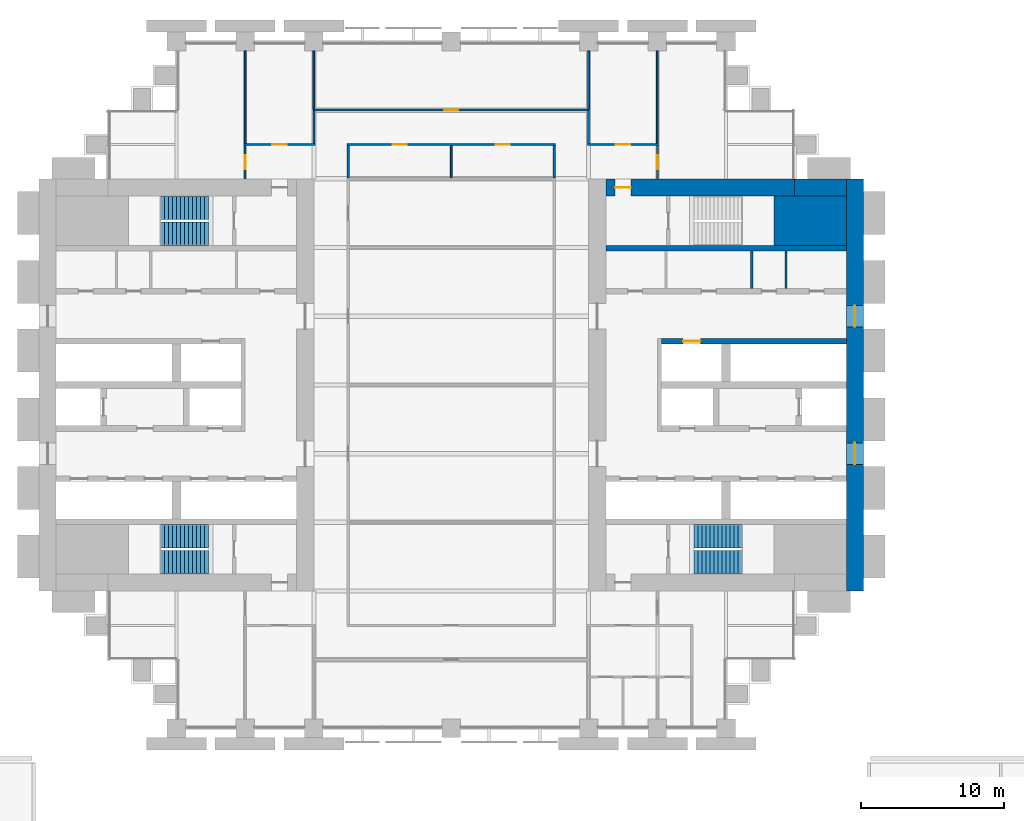
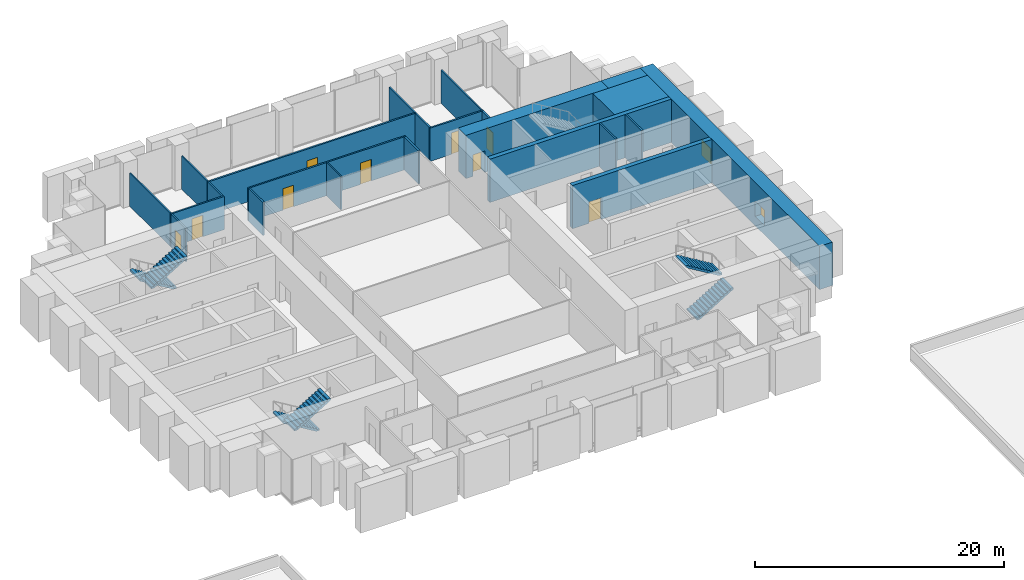
# One storey, part 12 of 14: 23 walls, 9 doors, 6 stair flights, 2 windows, 11 openings, 3 elements without a shape of their own.
"""IFC4 building model written with IfcOpenShell, lengths in metres."""

from ifc_helpers import new_model, si_unit, direction, frame, frame_2d, origin, place, context, subcontext, project, spatial, polyline, rectangle, outline, extrude, material, layer, layer_set, type_object, element, fill, aggregate, save


model = new_model("IFC4")

# Units and contexts
model_context = context("Model", 3, precision=1e-05, world=origin(), true_north=direction((0.0, 1.0)))
body_context = subcontext(model_context, "Body", "Model", "MODEL_VIEW")
ifc_project = project(units=[si_unit("LENGTHUNIT", "METRE"), si_unit("AREAUNIT", "SQUARE_METRE"), si_unit("VOLUMEUNIT", "CUBIC_METRE"), si_unit("PLANEANGLEUNIT", "RADIAN"), si_unit("MASSUNIT", "GRAM", prefix="KILO")], contexts=[model_context])

# Site, building, storey
site_placement = place(None, origin())
site = spatial("IfcSite", under=ifc_project, at=site_placement, CompositionType="ELEMENT")
building_placement = place(site_placement, origin())
building = spatial("IfcBuilding", under=site, at=building_placement, Name="Baori Bourse Tower", CompositionType="ELEMENT")
storey_placement = place(building_placement, frame((0.0, 0.0, 30.199951171875)))
storey = spatial("IfcBuildingStorey", under=building, at=storey_placement, Name="L05", CompositionType="ELEMENT", Elevation=30.199951171875)

# Walls
ifc_material_1 = material(Name="Concrete f'c 70 MPa", Category="concrete")
wall_type_1 = type_object("IfcWallType", Name="Core corner block f'c 70", PredefinedType="SHEAR", material=ifc_material_1)
wall_1_placement = place(storey_placement, frame((51.35009765625, 35.47509765625, 0.0), z_axis=(0.0, 0.0, 1.0), x_axis=(1.0, 0.0, 0.0)))
element("IfcWall", 1, at=wall_1_placement, inside=storey, type_object=wall_type_1, Name="Core wall E22", PredefinedType="SHEAR", context=body_context, shape_type="SweptSolid", body=[
    extrude(rectangle(XDim=5.0498046875, YDim=3.449951171875, at=frame_2d((2.52490234375, 0.0))), origin(), (0.0, 0.0, 1.0), 4.239990234375),
])
ifc_material_2 = material(Name="Blockwork partition", Category="masonry")
ifc_layer_1 = layer(ifc_material_2, 0.14990234375)
ifc_layer_set_1 = layer_set([ifc_layer_1], Name="Core partition 150")
wall_type_2 = type_object("IfcWallType", Name="Core partition 150", PredefinedType="PARTITIONING", material=ifc_layer_set_1)
for number, where, z_axis, x_axis, name in (
    (2, (52.199951171875, 30.75, 0.0), (0.0, 0.0, 1.0), (0.0, 1.0, 0.0), "Partition wall E18"),
    (3, (49.800048828125, 30.75, 0.0), (0.0, 0.0, 1.0), (0.0, 1.0, 0.0), "Partition wall E19"),
):
    element("IfcWall", number, at=place(storey_placement, frame(where, z_axis=z_axis, x_axis=x_axis)), inside=storey, type_object=wall_type_2, Name=name, PredefinedType="PARTITIONING", context=body_context, shape_type="SweptSolid", body=[
        extrude(rectangle(XDim=2.60009765625, YDim=0.14990234375, at=frame_2d((1.300048828125, 0.0))), origin(), (0.0, 0.0, 1.0), 4.239990234375),
    ])

# Wall, openings, windows
ifc_material_3 = material(Name="Concrete f'c 70 MPa", Category="concrete")
ifc_layer_2 = layer(ifc_material_3, 1.199951171875)
ifc_layer_set_2 = layer_set([ifc_layer_2], Name="Core wall 1200 f'c 70")
wall_type_3 = type_object("IfcWallType", Name="Core wall 1200 f'c 70", PredefinedType="SHEAR", material=ifc_layer_set_2)
wall_2_placement = place(storey_placement, frame((57.0, 38.39990234375, 0.0), z_axis=(0.0, 0.0, 1.0), x_axis=(0.0, -1.0, 0.0)))
wall_2 = element("IfcWall", 4, at=wall_2_placement, inside=storey, type_object=wall_type_3, Name="Core wall E01", PredefinedType="SHEAR", context=body_context, shape_type="SweptSolid", body=[
    extrude(rectangle(XDim=28.7998046875, YDim=1.199951171875, at=frame_2d((14.39990234375, 0.0))), origin(), (0.0, 0.0, 1.0), 4.239990234375),
])
opening_1_placement = place(wall_2_placement, frame((18.449951171875, 0.0, 0.89990234375)))
opening_1 = element("IfcOpeningElement", 5, at=opening_1_placement, cuts=wall_2, Name="Opening L05-KW201", PredefinedType="OPENING", context=body_context, shape_type="SweptSolid", body=[
    extrude(rectangle(XDim=1.5, YDim=1.5, at=frame_2d((0.75, 0.75))), frame((0.0, 0.60986328125, 0.0), z_axis=(0.0, -1.0, 0.0), x_axis=(1.0, 0.0, 0.0)), (0.0, 0.0, 1.0), 1.219970703125),
])
opening_2_placement = place(wall_2_placement, frame((8.85009765625, 0.0, 0.89990234375)))
opening_2 = element("IfcOpeningElement", 6, at=opening_2_placement, cuts=wall_2, Name="Opening L05-KW202", PredefinedType="OPENING", context=body_context, shape_type="SweptSolid", body=[
    extrude(rectangle(XDim=1.5, YDim=1.5, at=frame_2d((0.75, 0.75))), frame((0.0, 0.60986328125, 0.0), z_axis=(0.0, -1.0, 0.0), x_axis=(1.0, 0.0, 0.0)), (0.0, 0.0, 1.0), 1.219970703125),
])
ifc_material_4 = material(Name="Pale anodised aluminium", Category="aluminium")
window_type = type_object("IfcWindowType", Name="Lobby window 1500 x 1500", PartitioningType="SINGLE_PANEL", PredefinedType="WINDOW", material=ifc_material_4)
window_1_placement = place(opening_1_placement, origin())
window_1 = element("IfcWindow", 7, at=window_1_placement, inside=storey, type_object=window_type, Name="Outer wall window E L05 1", OverallHeight=1.5, OverallWidth=1.5, PartitioningType="SINGLE_PANEL", PredefinedType="WINDOW", context=body_context, shape_type="SweptSolid", body=[
    extrude(rectangle(XDim=1.5, YDim=1.5, at=frame_2d((0.75, 0.75))), frame((0.0, 0.030029296875, 0.0), z_axis=(0.0, -1.0, 0.0), x_axis=(1.0, 0.0, 0.0)), (0.0, 0.0, 1.0), 0.06005859375),
])
fill(opening_1, window_1)
window_2_placement = place(opening_2_placement, origin())
window_2 = element("IfcWindow", 8, at=window_2_placement, inside=storey, type_object=window_type, Name="Outer wall window E L05 2", OverallHeight=1.5, OverallWidth=1.5, PartitioningType="SINGLE_PANEL", PredefinedType="WINDOW", context=body_context, shape_type="SweptSolid", body=[
    extrude(rectangle(XDim=1.5, YDim=1.5, at=frame_2d((0.75, 0.75))), frame((0.0, 0.030029296875, 0.0), z_axis=(0.0, -1.0, 0.0), x_axis=(1.0, 0.0, 0.0)), (0.0, 0.0, 1.0), 0.06005859375),
])
fill(opening_2, window_2)

# Wall
wall_3_placement = place(storey_placement, frame((52.800048828125, 37.800048828125, 0.0), z_axis=(0.0, 0.0, 1.0), x_axis=(1.0, 0.0, 0.0)))
element("IfcWall", 9, at=wall_3_placement, inside=storey, type_object=wall_type_3, Name="Core wall E24", PredefinedType="SHEAR", context=body_context, shape_type="SweptSolid", body=[
    extrude(rectangle(XDim=3.599853515625, YDim=1.199951171875, at=frame_2d((1.7998046875, 0.0))), origin(), (0.0, 0.0, 1.0), 4.239990234375),
])

# Wall, opening, door
wall_4_placement = place(storey_placement, frame((39.60009765625, 37.800048828125, 0.0), z_axis=(0.0, 0.0, 1.0), x_axis=(1.0, 0.0, 0.0)))
wall_4 = element("IfcWall", 10, at=wall_4_placement, inside=storey, type_object=wall_type_3, Name="Core wall E25", PredefinedType="SHEAR", context=body_context, shape_type="SweptSolid", body=[
    extrude(rectangle(XDim=13.199951171875, YDim=1.199951171875, at=frame_2d((6.60009765625, 0.0))), origin(), (0.0, 0.0, 1.0), 4.239990234375),
])
opening_3_placement = place(wall_4_placement, frame((0.64990234375, 0.0, 0.0)))
opening_3 = element("IfcOpeningElement", 11, at=opening_3_placement, cuts=wall_4, Name="Opening L05-D204", PredefinedType="OPENING", context=body_context, shape_type="SweptSolid", body=[
    extrude(rectangle(XDim=1.10009765625, YDim=2.10009765625, at=frame_2d((0.550048828125, 1.050048828125))), frame((0.0, 0.60986328125, 0.0), z_axis=(0.0, -1.0, 0.0), x_axis=(1.0, 0.0, 0.0)), (0.0, 0.0, 1.0), 1.219970703125),
])
ifc_material_5 = material(Name="Painted steel door", Category="steel")
door_type_1 = type_object("IfcDoorType", Name="Stair door 1100", OperationType="SINGLE_SWING_LEFT", PredefinedType="DOOR", material=ifc_material_5)
door_1_placement = place(opening_3_placement, origin())
door_1 = element("IfcDoor", 12, at=door_1_placement, inside=storey, type_object=door_type_1, Name="Stair vestibule door B E L05", OperationType="SINGLE_SWING_LEFT", OverallHeight=2.10009765625, OverallWidth=1.10009765625, PredefinedType="DOOR", context=body_context, shape_type="SweptSolid", body=[
    extrude(rectangle(XDim=1.10009765625, YDim=2.10009765625, at=frame_2d((0.550048828125, 1.050048828125))), frame((0.0, 0.02490234375, 0.0), z_axis=(0.0, -1.0, 0.0), x_axis=(1.0, 0.0, 0.0)), (0.0, 0.0, 1.0), 0.050048828125),
])
fill(opening_3, door_1)

ifc_material_6 = material(Name="Gypsum board partition")
ifc_layer_3 = layer(ifc_material_6, 0.14990234375)
ifc_layer_set_3 = layer_set([ifc_layer_3], Name="Corridor partition 150")
wall_type_4 = type_object("IfcWallType", Name="Corridor partition 150", PredefinedType="PARTITIONING", material=ifc_layer_set_3)
wall_5_placement = place(storey_placement, frame((14.324951171875, 40.800048828125, 0.0), z_axis=(0.0, 0.0, 1.0), x_axis=(1.0, 0.0, 0.0)))
wall_5 = element("IfcWall", 13, at=wall_5_placement, inside=storey, type_object=wall_type_4, Name="Partition", PredefinedType="PARTITIONING", context=body_context, shape_type="SweptSolid", body=[
    extrude(rectangle(XDim=4.949951171875, YDim=0.14990234375, at=frame_2d((2.47509765625, 0.0))), origin(), (0.0, 0.0, 1.0), 3.24951171875),
])
opening_4_placement = place(wall_5_placement, frame((1.97509765625, 0.0, 0.0)))
opening_4 = element("IfcOpeningElement", 14, at=opening_4_placement, cuts=wall_5, Name="Opening L05-D08", PredefinedType="OPENING", context=body_context, shape_type="SweptSolid", body=[
    extrude(rectangle(XDim=1.0, YDim=2.10009765625, at=frame_2d((0.5, 1.050048828125))), frame((0.0, 0.0849609375, 0.0), z_axis=(0.0, -1.0, 0.0), x_axis=(1.0, 0.0, 0.0)), (0.0, 0.0, 1.0), 0.169921875),
])
ifc_material_7 = material(Name="Timber door leaf", Category="wood")
door_type_2 = type_object("IfcDoorType", Name="Door 1000 x 2100", OperationType="SINGLE_SWING_LEFT", PredefinedType="DOOR", material=ifc_material_7)
door_2_placement = place(opening_4_placement, origin())
door_2 = element("IfcDoor", 15, at=door_2_placement, inside=storey, type_object=door_type_2, Name="Door", OperationType="SINGLE_SWING_LEFT", OverallHeight=2.10009765625, OverallWidth=1.0, PredefinedType="DOOR", context=body_context, shape_type="SweptSolid", body=[
    extrude(rectangle(XDim=1.0, YDim=2.10009765625, at=frame_2d((0.5, 1.050048828125))), frame((0.0, 0.02490234375, 0.0), z_axis=(0.0, -1.0, 0.0), x_axis=(1.0, 0.0, 0.0)), (0.0, 0.0, 1.0), 0.050048828125),
])
fill(opening_4, door_2)

# Wall, openings, doors
wall_6_placement = place(storey_placement, frame((21.52490234375, 40.800048828125, 0.0), z_axis=(0.0, 0.0, 1.0), x_axis=(1.0, 0.0, 0.0)))
wall_6 = element("IfcWall", 16, at=wall_6_placement, inside=storey, type_object=wall_type_4, Name="Partition", PredefinedType="PARTITIONING", context=body_context, shape_type="SweptSolid", body=[
    extrude(rectangle(XDim=14.550048828125, YDim=0.14990234375, at=frame_2d((7.27490234375, 0.0))), origin(), (0.0, 0.0, 1.0), 3.24951171875),
])
opening_5_placement = place(wall_6_placement, frame((3.175048828125, 0.0, 0.0)))
opening_5 = element("IfcOpeningElement", 17, at=opening_5_placement, cuts=wall_6, Name="Opening L05-D09", PredefinedType="OPENING", context=body_context, shape_type="SweptSolid", body=[
    extrude(rectangle(XDim=1.0, YDim=2.10009765625, at=frame_2d((0.5, 1.050048828125))), frame((0.0, 0.0849609375, 0.0), z_axis=(0.0, -1.0, 0.0), x_axis=(1.0, 0.0, 0.0)), (0.0, 0.0, 1.0), 0.169921875),
])
opening_6_placement = place(wall_6_placement, frame((10.375, 0.0, 0.0)))
opening_6 = element("IfcOpeningElement", 18, at=opening_6_placement, cuts=wall_6, Name="Opening L05-D10", PredefinedType="OPENING", context=body_context, shape_type="SweptSolid", body=[
    extrude(rectangle(XDim=1.0, YDim=2.10009765625, at=frame_2d((0.5, 1.050048828125))), frame((0.0, 0.0849609375, 0.0), z_axis=(0.0, -1.0, 0.0), x_axis=(1.0, 0.0, 0.0)), (0.0, 0.0, 1.0), 0.169921875),
])
door_3_placement = place(opening_5_placement, origin())
door_3 = element("IfcDoor", 19, at=door_3_placement, inside=storey, type_object=door_type_2, Name="Door", OperationType="SINGLE_SWING_LEFT", OverallHeight=2.10009765625, OverallWidth=1.0, PredefinedType="DOOR", context=body_context, shape_type="SweptSolid", body=[
    extrude(rectangle(XDim=1.0, YDim=2.10009765625, at=frame_2d((0.5, 1.050048828125))), frame((0.0, 0.02490234375, 0.0), z_axis=(0.0, -1.0, 0.0), x_axis=(1.0, 0.0, 0.0)), (0.0, 0.0, 1.0), 0.050048828125),
])
fill(opening_5, door_3)
door_4_placement = place(opening_6_placement, origin())
door_4 = element("IfcDoor", 20, at=door_4_placement, inside=storey, type_object=door_type_2, Name="Door", OperationType="SINGLE_SWING_RIGHT", OverallHeight=2.10009765625, OverallWidth=1.0, PredefinedType="DOOR", context=body_context, shape_type="SweptSolid", body=[
    extrude(rectangle(XDim=1.0, YDim=2.10009765625, at=frame_2d((0.5, 1.050048828125))), frame((0.0, 0.02490234375, 0.0), z_axis=(0.0, -1.0, 0.0), x_axis=(1.0, 0.0, 0.0)), (0.0, 0.0, 1.0), 0.050048828125),
])
fill(opening_6, door_4)

# Wall, opening, door
wall_7_placement = place(storey_placement, frame((38.324951171875, 40.800048828125, 0.0), z_axis=(0.0, 0.0, 1.0), x_axis=(1.0, 0.0, 0.0)))
wall_7 = element("IfcWall", 21, at=wall_7_placement, inside=storey, type_object=wall_type_4, Name="Partition", PredefinedType="PARTITIONING", context=body_context, shape_type="SweptSolid", body=[
    extrude(rectangle(XDim=4.949951171875, YDim=0.14990234375, at=frame_2d((2.47509765625, 0.0))), origin(), (0.0, 0.0, 1.0), 3.24951171875),
])
opening_7_placement = place(wall_7_placement, frame((1.97509765625, 0.0, 0.0)))
opening_7 = element("IfcOpeningElement", 22, at=opening_7_placement, cuts=wall_7, Name="Opening L05-D11", PredefinedType="OPENING", context=body_context, shape_type="SweptSolid", body=[
    extrude(rectangle(XDim=1.0, YDim=2.10009765625, at=frame_2d((0.5, 1.050048828125))), frame((0.0, 0.0849609375, 0.0), z_axis=(0.0, -1.0, 0.0), x_axis=(1.0, 0.0, 0.0)), (0.0, 0.0, 1.0), 0.169921875),
])
door_5_placement = place(opening_7_placement, origin())
door_5 = element("IfcDoor", 23, at=door_5_placement, inside=storey, type_object=door_type_2, Name="Door", OperationType="SINGLE_SWING_RIGHT", OverallHeight=2.10009765625, OverallWidth=1.0, PredefinedType="DOOR", context=body_context, shape_type="SweptSolid", body=[
    extrude(rectangle(XDim=1.0, YDim=2.10009765625, at=frame_2d((0.5, 1.050048828125))), frame((0.0, 0.02490234375, 0.0), z_axis=(0.0, -1.0, 0.0), x_axis=(1.0, 0.0, 0.0)), (0.0, 0.0, 1.0), 0.050048828125),
])
fill(opening_7, door_5)

wall_8_placement = place(storey_placement, frame((19.125, 43.199951171875, 0.0), z_axis=(0.0, 0.0, 1.0), x_axis=(1.0, 0.0, 0.0)))
wall_8 = element("IfcWall", 24, at=wall_8_placement, inside=storey, type_object=wall_type_4, Name="Partition", PredefinedType="PARTITIONING", context=body_context, shape_type="SweptSolid", body=[
    extrude(rectangle(XDim=19.35009765625, YDim=0.14990234375, at=frame_2d((9.675048828125, 0.0))), origin(), (0.0, 0.0, 1.0), 3.24951171875),
])
opening_8_placement = place(wall_8_placement, frame((9.175048828125, 0.0, 0.0)))
opening_8 = element("IfcOpeningElement", 25, at=opening_8_placement, cuts=wall_8, Name="Opening L05-D12", PredefinedType="OPENING", context=body_context, shape_type="SweptSolid", body=[
    extrude(rectangle(XDim=1.0, YDim=2.10009765625, at=frame_2d((0.5, 1.050048828125))), frame((0.0, 0.0849609375, 0.0), z_axis=(0.0, -1.0, 0.0), x_axis=(1.0, 0.0, 0.0)), (0.0, 0.0, 1.0), 0.169921875),
])
door_6_placement = place(opening_8_placement, origin())
door_6 = element("IfcDoor", 26, at=door_6_placement, inside=storey, type_object=door_type_2, Name="Door", OperationType="SINGLE_SWING_RIGHT", OverallHeight=2.10009765625, OverallWidth=1.0, PredefinedType="DOOR", context=body_context, shape_type="SweptSolid", body=[
    extrude(rectangle(XDim=1.0, YDim=2.10009765625, at=frame_2d((0.5, 1.050048828125))), frame((0.0, 0.02490234375, 0.0), z_axis=(0.0, -1.0, 0.0), x_axis=(1.0, 0.0, 0.0)), (0.0, 0.0, 1.0), 0.050048828125),
])
fill(opening_8, door_6)

wall_9_placement = place(storey_placement, frame((14.39990234375, 38.39990234375, 0.0), z_axis=(0.0, 0.0, 1.0), x_axis=(0.0, 1.0, 0.0)))
wall_9 = element("IfcWall", 27, at=wall_9_placement, inside=storey, type_object=wall_type_4, Name="Partition", PredefinedType="PARTITIONING", context=body_context, shape_type="SweptSolid", body=[
    extrude(rectangle(XDim=2.3251953125, YDim=0.14990234375, at=frame_2d((1.16259765625, 0.0))), origin(), (0.0, 0.0, 1.0), 3.24951171875),
])
opening_9_placement = place(wall_9_placement, frame((0.66259765625, 0.0, 0.0)))
opening_9 = element("IfcOpeningElement", 28, at=opening_9_placement, cuts=wall_9, Name="Opening L05-D14", PredefinedType="OPENING", context=body_context, shape_type="SweptSolid", body=[
    extrude(rectangle(XDim=1.0, YDim=2.10009765625, at=frame_2d((0.5, 1.050048828125))), frame((0.0, 0.0849609375, 0.0), z_axis=(0.0, -1.0, 0.0), x_axis=(1.0, 0.0, 0.0)), (0.0, 0.0, 1.0), 0.169921875),
])
door_7_placement = place(opening_9_placement, origin())
door_7 = element("IfcDoor", 29, at=door_7_placement, inside=storey, type_object=door_type_2, Name="Door", OperationType="SINGLE_SWING_RIGHT", OverallHeight=2.10009765625, OverallWidth=1.0, PredefinedType="DOOR", context=body_context, shape_type="SweptSolid", body=[
    extrude(rectangle(XDim=1.0, YDim=2.10009765625, at=frame_2d((0.5, 1.050048828125))), frame((0.0, 0.02490234375, 0.0), z_axis=(0.0, -1.0, 0.0), x_axis=(1.0, 0.0, 0.0)), (0.0, 0.0, 1.0), 0.050048828125),
])
fill(opening_9, door_7)

# Walls
wall_10_placement = place(storey_placement, frame((19.199951171875, 40.875, 0.0), z_axis=(0.0, 0.0, 1.0), x_axis=(0.0, 1.0, 0.0)))
element("IfcWall", 30, at=wall_10_placement, inside=storey, type_object=wall_type_4, Name="Partition", PredefinedType="PARTITIONING", context=body_context, shape_type="SweptSolid", body=[
    extrude(rectangle(XDim=2.25, YDim=0.14990234375, at=frame_2d((1.125, 0.0))), origin(), (0.0, 0.0, 1.0), 3.24951171875),
])
for number, where, z_axis, x_axis, name in (
    (31, (21.60009765625, 38.46240234375, 0.0), (0.0, 0.0, 1.0), (0.0, 1.0, 0.0), "Partition"),
    (32, (36.0, 38.46240234375, 0.0), (0.0, 0.0, 1.0), (0.0, 1.0, 0.0), "Partition"),
):
    element("IfcWall", number, at=place(storey_placement, frame(where, z_axis=z_axis, x_axis=x_axis)), inside=storey, type_object=wall_type_4, Name=name, PredefinedType="PARTITIONING", context=body_context, shape_type="SweptSolid", body=[
        extrude(rectangle(XDim=2.2626953125, YDim=0.14990234375, at=frame_2d((1.13134765625, 0.0))), origin(), (0.0, 0.0, 1.0), 3.24951171875),
    ])
wall_11_placement = place(storey_placement, frame((38.39990234375, 40.875, 0.0), z_axis=(0.0, 0.0, 1.0), x_axis=(0.0, 1.0, 0.0)))
element("IfcWall", 33, at=wall_11_placement, inside=storey, type_object=wall_type_4, Name="Partition", PredefinedType="PARTITIONING", context=body_context, shape_type="SweptSolid", body=[
    extrude(rectangle(XDim=2.25, YDim=0.14990234375, at=frame_2d((1.125, 0.0))), origin(), (0.0, 0.0, 1.0), 3.24951171875),
])

# Wall, opening, door
wall_12_placement = place(storey_placement, frame((43.199951171875, 38.39990234375, 0.0), z_axis=(0.0, 0.0, 1.0), x_axis=(0.0, 1.0, 0.0)))
wall_12 = element("IfcWall", 34, at=wall_12_placement, inside=storey, type_object=wall_type_4, Name="Partition", PredefinedType="PARTITIONING", context=body_context, shape_type="SweptSolid", body=[
    extrude(rectangle(XDim=2.3251953125, YDim=0.14990234375, at=frame_2d((1.16259765625, 0.0))), origin(), (0.0, 0.0, 1.0), 3.24951171875),
])
opening_10_placement = place(wall_12_placement, frame((0.66259765625, 0.0, 0.0)))
opening_10 = element("IfcOpeningElement", 35, at=opening_10_placement, cuts=wall_12, Name="Opening L05-D19", PredefinedType="OPENING", context=body_context, shape_type="SweptSolid", body=[
    extrude(rectangle(XDim=1.0, YDim=2.10009765625, at=frame_2d((0.5, 1.050048828125))), frame((0.0, 0.0849609375, 0.0), z_axis=(0.0, -1.0, 0.0), x_axis=(1.0, 0.0, 0.0)), (0.0, 0.0, 1.0), 0.169921875),
])
door_8_placement = place(opening_10_placement, origin())
door_8 = element("IfcDoor", 36, at=door_8_placement, inside=storey, type_object=door_type_2, Name="Door", OperationType="SINGLE_SWING_LEFT", OverallHeight=2.10009765625, OverallWidth=1.0, PredefinedType="DOOR", context=body_context, shape_type="SweptSolid", body=[
    extrude(rectangle(XDim=1.0, YDim=2.10009765625, at=frame_2d((0.5, 1.050048828125))), frame((0.0, 0.02490234375, 0.0), z_axis=(0.0, -1.0, 0.0), x_axis=(1.0, 0.0, 0.0)), (0.0, 0.0, 1.0), 0.050048828125),
])
fill(opening_10, door_8)

# Walls
ifc_material_8 = material(Name="Gypsum board partition")
ifc_layer_4 = layer(ifc_material_8, 0.125)
ifc_layer_set_4 = layer_set([ifc_layer_4], Name="Partition 125")
wall_type_5 = type_object("IfcWallType", Name="Partition 125", PredefinedType="PARTITIONING", material=ifc_layer_set_4)
wall_13_placement = place(storey_placement, frame((14.39990234375, 40.875, 0.0), z_axis=(0.0, 0.0, 1.0), x_axis=(0.0, 1.0, 0.0)))
element("IfcWall", 37, at=wall_13_placement, inside=storey, type_object=wall_type_5, Name="Partition", PredefinedType="PARTITIONING", context=body_context, shape_type="SweptSolid", body=[
    extrude(rectangle(XDim=6.47509765625, YDim=0.125, at=frame_2d((3.237548828125, 0.0))), origin(), (0.0, 0.0, 1.0), 3.24951171875),
])
wall_14_placement = place(storey_placement, frame((19.199951171875, 43.27490234375, 0.0), z_axis=(0.0, 0.0, 1.0), x_axis=(0.0, 1.0, 0.0)))
element("IfcWall", 38, at=wall_14_placement, inside=storey, type_object=wall_type_5, Name="Partition", PredefinedType="PARTITIONING", context=body_context, shape_type="SweptSolid", body=[
    extrude(rectangle(XDim=4.0751953125, YDim=0.125, at=frame_2d((2.03759765625, 0.0))), origin(), (0.0, 0.0, 1.0), 3.24951171875),
])
wall_15_placement = place(storey_placement, frame((28.800048828125, 38.46240234375, 0.0), z_axis=(0.0, 0.0, 1.0), x_axis=(0.0, 1.0, 0.0)))
element("IfcWall", 39, at=wall_15_placement, inside=storey, type_object=wall_type_5, Name="Partition", PredefinedType="PARTITIONING", context=body_context, shape_type="SweptSolid", body=[
    extrude(rectangle(XDim=2.2626953125, YDim=0.125, at=frame_2d((1.13134765625, 0.0))), origin(), (0.0, 0.0, 1.0), 3.24951171875),
])
wall_16_placement = place(storey_placement, frame((38.39990234375, 43.27490234375, 0.0), z_axis=(0.0, 0.0, 1.0), x_axis=(0.0, 1.0, 0.0)))
element("IfcWall", 40, at=wall_16_placement, inside=storey, type_object=wall_type_5, Name="Partition", PredefinedType="PARTITIONING", context=body_context, shape_type="SweptSolid", body=[
    extrude(rectangle(XDim=4.0751953125, YDim=0.125, at=frame_2d((2.03759765625, 0.0))), origin(), (0.0, 0.0, 1.0), 3.24951171875),
])
wall_17_placement = place(storey_placement, frame((43.199951171875, 40.875, 0.0), z_axis=(0.0, 0.0, 1.0), x_axis=(0.0, 1.0, 0.0)))
element("IfcWall", 41, at=wall_17_placement, inside=storey, type_object=wall_type_5, Name="Partition", PredefinedType="PARTITIONING", context=body_context, shape_type="SweptSolid", body=[
    extrude(rectangle(XDim=6.47509765625, YDim=0.125, at=frame_2d((3.237548828125, 0.0))), origin(), (0.0, 0.0, 1.0), 3.24951171875),
])

# Wall, opening, door
ifc_material_9 = material(Name="Concrete f'c 70 MPa", Category="concrete")
ifc_layer_5 = layer(ifc_material_9, 0.39990234375)
ifc_layer_set_5 = layer_set([ifc_layer_5], Name="Shaft wall 400 f'c 70")
wall_type_6 = type_object("IfcWallType", Name="Shaft wall 400 f'c 70", PredefinedType="SHEAR", material=ifc_layer_set_5)
wall_18_placement = place(storey_placement, frame((43.5, 27.050048828125, 0.0), z_axis=(0.0, 0.0, 1.0), x_axis=(1.0, 0.0, 0.0)))
wall_18 = element("IfcWall", 42, at=wall_18_placement, inside=storey, type_object=wall_type_6, Name="Core wall E16", PredefinedType="SHEAR", context=body_context, shape_type="SweptSolid", body=[
    extrude(rectangle(XDim=12.89990234375, YDim=0.39990234375, at=frame_2d((6.449951171875, 0.0))), origin(), (0.0, 0.0, 1.0), 4.239990234375),
])
opening_11_placement = place(wall_18_placement, frame((1.5, 0.0, 0.0)))
opening_11 = element("IfcOpeningElement", 43, at=opening_11_placement, cuts=wall_18, Name="Opening L05-D219", PredefinedType="OPENING", context=body_context, shape_type="SweptSolid", body=[
    extrude(rectangle(XDim=1.199951171875, YDim=2.10009765625, at=frame_2d((0.60009765625, 1.050048828125))), frame((0.0, 0.2099609375, 0.0), z_axis=(0.0, -1.0, 0.0), x_axis=(1.0, 0.0, 0.0)), (0.0, 0.0, 1.0), 0.419921875),
])
ifc_material_10 = material(Name="Stainless steel door", Category="steel")
door_type_3 = type_object("IfcDoorType", Name="Lift landing door", OperationType="DOUBLE_DOOR_SLIDING", PredefinedType="DOOR", material=ifc_material_10)
door_9_placement = place(opening_11_placement, origin())
door_9 = element("IfcDoor", 44, at=door_9_placement, inside=storey, type_object=door_type_3, Name="Lift landing door SV1 E L05", OperationType="DOUBLE_DOOR_SLIDING", OverallHeight=2.10009765625, OverallWidth=1.199951171875, PredefinedType="DOOR", context=body_context, shape_type="SweptSolid", body=[
    extrude(rectangle(XDim=1.199951171875, YDim=2.10009765625, at=frame_2d((0.60009765625, 1.050048828125))), frame((0.0, 0.02490234375, 0.0), z_axis=(0.0, -1.0, 0.0), x_axis=(1.0, 0.0, 0.0)), (0.0, 0.0, 1.0), 0.050048828125),
])
fill(opening_11, door_9)

# Wall
wall_19_placement = place(storey_placement, frame((39.60009765625, 33.550048828125, 0.0), z_axis=(0.0, 0.0, 1.0), x_axis=(1.0, 0.0, 0.0)))
element("IfcWall", 45, at=wall_19_placement, inside=storey, type_object=wall_type_6, Name="Core wall E21", PredefinedType="SHEAR", context=body_context, shape_type="SweptSolid", body=[
    extrude(rectangle(XDim=16.7998046875, YDim=0.39990234375, at=frame_2d((8.39990234375, 0.0))), origin(), (0.0, 0.0, 1.0), 4.239990234375),
])

# Stair, stair flights
ifc_material_11 = material(Name="Concrete f'c 50 MPa", Category="concrete")
stair_type = type_object("IfcStairType", Name="Core stair", PredefinedType="HALF_TURN_STAIR", material=ifc_material_11)
stair_1_placement = place(storey_placement, origin())
stair_1 = element("IfcStair", 46, at=stair_1_placement, inside=storey, type_object=stair_type, Name="L05 Stair WA", PredefinedType="HALF_TURN_STAIR")
ifc_material_12 = material(Name="Concrete f'c 50 MPa", Category="concrete")
stair_flight_type = type_object("IfcStairFlightType", Name="Core stair flight", PredefinedType="STRAIGHT", material=ifc_material_12)
stair_flight_1_placement = place(storey_placement, frame((11.85009765625, 13.425048828125, 0.0), z_axis=(0.0, 0.0, 1.0), x_axis=(-1.0, 0.0, 0.0)))
stair_flight_1 = element("IfcStairFlight", 47, at=stair_flight_1_placement, type_object=stair_flight_type, Name="ST1 flight 1", NumberOfRisers=13, NumberOfTreads=12, PredefinedType="STRAIGHT", RiserHeight=0.169230769, TreadLength=0.28, context=body_context, shape_type="SweptSolid", body=[
    extrude(outline(polyline([(0.0, 0.0), (0.0, 0.169189453125), (0.280029296875, 0.169189453125), (0.280029296875, 0.33837890625), (0.56005859375, 0.33837890625), (0.56005859375, 0.5078125), (0.840087890625, 0.5078125), (0.840087890625, 0.677001953125), (1.1201171875, 0.677001953125), (1.1201171875, 0.84619140625), (1.39990234375, 0.84619140625), (1.39990234375, 1.015380859375), (1.679931640625, 1.015380859375), (1.679931640625, 1.1845703125), (1.9599609375, 1.1845703125), (1.9599609375, 1.353759765625), (2.239990234375, 1.353759765625), (2.239990234375, 1.523193359375), (2.52001953125, 1.523193359375), (2.52001953125, 1.6923828125), (2.800048828125, 1.6923828125), (2.800048828125, 1.861572265625), (3.080078125, 1.861572265625), (3.080078125, 2.03076171875), (3.360107421875, 2.03076171875), (3.360107421875, 2.199951171875), (3.360107421875, 1.855712890625), (0.289794921875, 0.0), (0.0, 0.0)])), frame((0.0, 0.824951171875, 0.0), z_axis=(0.0, -1.0, 0.0), x_axis=(1.0, 0.0, 0.0)), (0.0, 0.0, 1.0), 1.64990234375),
])
stair_flight_2_placement = place(storey_placement, frame((8.489990234375, 11.625, 2.199951171875), z_axis=(0.0, 0.0, 1.0), x_axis=(1.0, 0.0, 0.0)))
stair_flight_2 = element("IfcStairFlight", 48, at=stair_flight_2_placement, type_object=stair_flight_type, Name="ST1 flight 2", NumberOfRisers=13, NumberOfTreads=12, PredefinedType="STRAIGHT", RiserHeight=0.169230769, TreadLength=0.28, context=body_context, shape_type="SweptSolid", body=[
    extrude(outline(polyline([(0.0, 0.0), (0.0, 0.169189453125), (0.280029296875, 0.169189453125), (0.280029296875, 0.33837890625), (0.56005859375, 0.33837890625), (0.56005859375, 0.5078125), (0.840087890625, 0.5078125), (0.840087890625, 0.677001953125), (1.1201171875, 0.677001953125), (1.1201171875, 0.84619140625), (1.39990234375, 0.84619140625), (1.39990234375, 1.015380859375), (1.679931640625, 1.015380859375), (1.679931640625, 1.1845703125), (1.9599609375, 1.1845703125), (1.9599609375, 1.353759765625), (2.239990234375, 1.353759765625), (2.239990234375, 1.523193359375), (2.52001953125, 1.523193359375), (2.52001953125, 1.6923828125), (2.800048828125, 1.6923828125), (2.800048828125, 1.861572265625), (3.080078125, 1.861572265625), (3.080078125, 2.03076171875), (3.360107421875, 2.03076171875), (3.360107421875, 2.199951171875), (3.360107421875, 1.855712890625), (0.289794921875, 0.0), (0.0, 0.0)])), frame((0.0, 0.824951171875, 0.0), z_axis=(0.0, -1.0, 0.0), x_axis=(1.0, 0.0, 0.0)), (0.0, 0.0, 1.0), 1.64990234375),
])
aggregate(stair_1, [stair_flight_1, stair_flight_2])

stair_2_placement = place(storey_placement, origin())
stair_2 = element("IfcStair", 49, at=stair_2_placement, inside=storey, type_object=stair_type, Name="L05 Stair WB", PredefinedType="HALF_TURN_STAIR")
stair_flight_3_placement = place(storey_placement, frame((11.85009765625, 36.375, 0.0), z_axis=(0.0, 0.0, 1.0), x_axis=(-1.0, 0.0, 0.0)))
stair_flight_3 = element("IfcStairFlight", 50, at=stair_flight_3_placement, type_object=stair_flight_type, Name="ST2 flight 1", NumberOfRisers=13, NumberOfTreads=12, PredefinedType="STRAIGHT", RiserHeight=0.169230769, TreadLength=0.28, context=body_context, shape_type="SweptSolid", body=[
    extrude(outline(polyline([(0.0, 0.0), (0.0, 0.169189453125), (0.280029296875, 0.169189453125), (0.280029296875, 0.33837890625), (0.56005859375, 0.33837890625), (0.56005859375, 0.5078125), (0.840087890625, 0.5078125), (0.840087890625, 0.677001953125), (1.1201171875, 0.677001953125), (1.1201171875, 0.84619140625), (1.39990234375, 0.84619140625), (1.39990234375, 1.015380859375), (1.679931640625, 1.015380859375), (1.679931640625, 1.1845703125), (1.9599609375, 1.1845703125), (1.9599609375, 1.353759765625), (2.239990234375, 1.353759765625), (2.239990234375, 1.523193359375), (2.52001953125, 1.523193359375), (2.52001953125, 1.6923828125), (2.800048828125, 1.6923828125), (2.800048828125, 1.861572265625), (3.080078125, 1.861572265625), (3.080078125, 2.03076171875), (3.360107421875, 2.03076171875), (3.360107421875, 2.199951171875), (3.360107421875, 1.855712890625), (0.289794921875, 0.0), (0.0, 0.0)])), frame((0.0, 0.824951171875, 0.0), z_axis=(0.0, -1.0, 0.0), x_axis=(1.0, 0.0, 0.0)), (0.0, 0.0, 1.0), 1.64990234375),
])
stair_flight_4_placement = place(storey_placement, frame((8.489990234375, 34.574951171875, 2.199951171875), z_axis=(0.0, 0.0, 1.0), x_axis=(1.0, 0.0, 0.0)))
stair_flight_4 = element("IfcStairFlight", 51, at=stair_flight_4_placement, type_object=stair_flight_type, Name="ST2 flight 2", NumberOfRisers=13, NumberOfTreads=12, PredefinedType="STRAIGHT", RiserHeight=0.169230769, TreadLength=0.28, context=body_context, shape_type="SweptSolid", body=[
    extrude(outline(polyline([(0.0, 0.0), (0.0, 0.169189453125), (0.280029296875, 0.169189453125), (0.280029296875, 0.33837890625), (0.56005859375, 0.33837890625), (0.56005859375, 0.5078125), (0.840087890625, 0.5078125), (0.840087890625, 0.677001953125), (1.1201171875, 0.677001953125), (1.1201171875, 0.84619140625), (1.39990234375, 0.84619140625), (1.39990234375, 1.015380859375), (1.679931640625, 1.015380859375), (1.679931640625, 1.1845703125), (1.9599609375, 1.1845703125), (1.9599609375, 1.353759765625), (2.239990234375, 1.353759765625), (2.239990234375, 1.523193359375), (2.52001953125, 1.523193359375), (2.52001953125, 1.6923828125), (2.800048828125, 1.6923828125), (2.800048828125, 1.861572265625), (3.080078125, 1.861572265625), (3.080078125, 2.03076171875), (3.360107421875, 2.03076171875), (3.360107421875, 2.199951171875), (3.360107421875, 1.855712890625), (0.289794921875, 0.0), (0.0, 0.0)])), frame((0.0, 0.824951171875, 0.0), z_axis=(0.0, -1.0, 0.0), x_axis=(1.0, 0.0, 0.0)), (0.0, 0.0, 1.0), 1.64990234375),
])
aggregate(stair_2, [stair_flight_3, stair_flight_4])

stair_3_placement = place(storey_placement, origin())
stair_3 = element("IfcStair", 52, at=stair_3_placement, inside=storey, type_object=stair_type, Name="L05 Stair EA", PredefinedType="HALF_TURN_STAIR")
stair_flight_5_placement = place(storey_placement, frame((45.75, 11.625, 0.0), z_axis=(0.0, 0.0, 1.0), x_axis=(1.0, 0.0, 0.0)))
stair_flight_5 = element("IfcStairFlight", 53, at=stair_flight_5_placement, type_object=stair_flight_type, Name="ST3 flight 1", NumberOfRisers=13, NumberOfTreads=12, PredefinedType="STRAIGHT", RiserHeight=0.169230769, TreadLength=0.28, context=body_context, shape_type="SweptSolid", body=[
    extrude(outline(polyline([(0.0, 0.0), (0.0, 0.169189453125), (0.280029296875, 0.169189453125), (0.280029296875, 0.33837890625), (0.56005859375, 0.33837890625), (0.56005859375, 0.5078125), (0.840087890625, 0.5078125), (0.840087890625, 0.677001953125), (1.1201171875, 0.677001953125), (1.1201171875, 0.84619140625), (1.39990234375, 0.84619140625), (1.39990234375, 1.015380859375), (1.679931640625, 1.015380859375), (1.679931640625, 1.1845703125), (1.9599609375, 1.1845703125), (1.9599609375, 1.353759765625), (2.239990234375, 1.353759765625), (2.239990234375, 1.523193359375), (2.52001953125, 1.523193359375), (2.52001953125, 1.6923828125), (2.800048828125, 1.6923828125), (2.800048828125, 1.861572265625), (3.080078125, 1.861572265625), (3.080078125, 2.03076171875), (3.360107421875, 2.03076171875), (3.360107421875, 2.199951171875), (3.360107421875, 1.855712890625), (0.289794921875, 0.0), (0.0, 0.0)])), frame((0.0, 0.824951171875, 0.0), z_axis=(0.0, -1.0, 0.0), x_axis=(1.0, 0.0, 0.0)), (0.0, 0.0, 1.0), 1.64990234375),
])
stair_flight_6_placement = place(storey_placement, frame((49.110107421875, 13.425048828125, 2.199951171875), z_axis=(0.0, 0.0, 1.0), x_axis=(-1.0, 0.0, 0.0)))
stair_flight_6 = element("IfcStairFlight", 54, at=stair_flight_6_placement, type_object=stair_flight_type, Name="ST3 flight 2", NumberOfRisers=13, NumberOfTreads=12, PredefinedType="STRAIGHT", RiserHeight=0.169230769, TreadLength=0.28, context=body_context, shape_type="SweptSolid", body=[
    extrude(outline(polyline([(0.0, 0.0), (0.0, 0.169189453125), (0.280029296875, 0.169189453125), (0.280029296875, 0.33837890625), (0.56005859375, 0.33837890625), (0.56005859375, 0.5078125), (0.840087890625, 0.5078125), (0.840087890625, 0.677001953125), (1.1201171875, 0.677001953125), (1.1201171875, 0.84619140625), (1.39990234375, 0.84619140625), (1.39990234375, 1.015380859375), (1.679931640625, 1.015380859375), (1.679931640625, 1.1845703125), (1.9599609375, 1.1845703125), (1.9599609375, 1.353759765625), (2.239990234375, 1.353759765625), (2.239990234375, 1.523193359375), (2.52001953125, 1.523193359375), (2.52001953125, 1.6923828125), (2.800048828125, 1.6923828125), (2.800048828125, 1.861572265625), (3.080078125, 1.861572265625), (3.080078125, 2.03076171875), (3.360107421875, 2.03076171875), (3.360107421875, 2.199951171875), (3.360107421875, 1.855712890625), (0.289794921875, 0.0), (0.0, 0.0)])), frame((0.0, 0.824951171875, 0.0), z_axis=(0.0, -1.0, 0.0), x_axis=(1.0, 0.0, 0.0)), (0.0, 0.0, 1.0), 1.64990234375),
])
aggregate(stair_3, [stair_flight_5, stair_flight_6])

save(model, "model.ifc")
